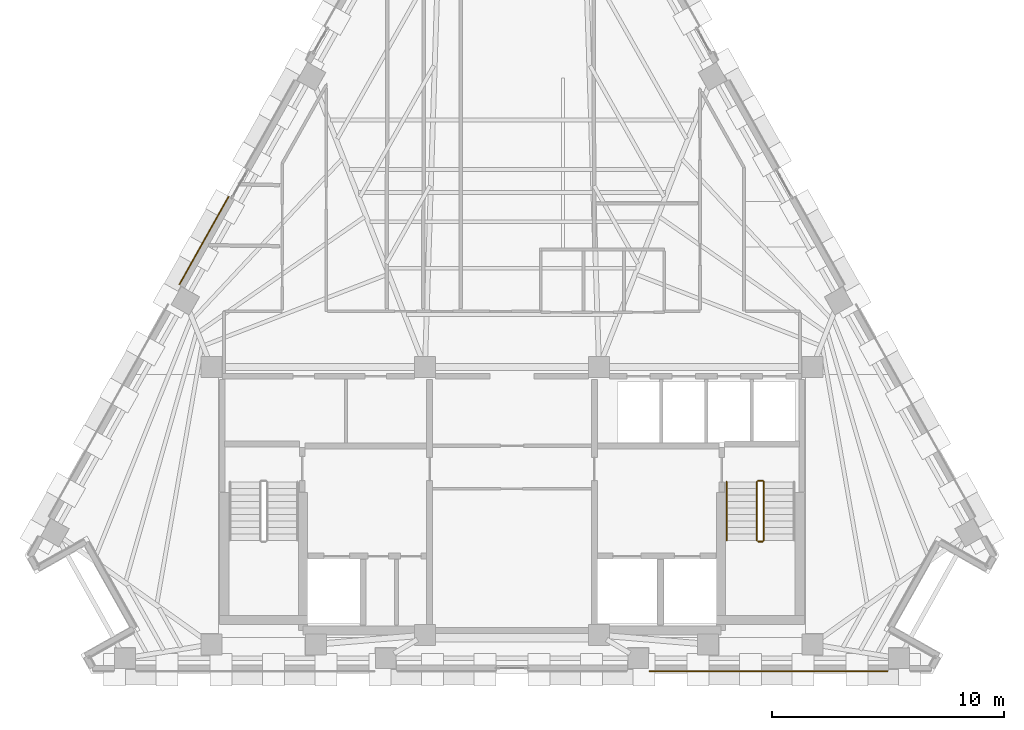
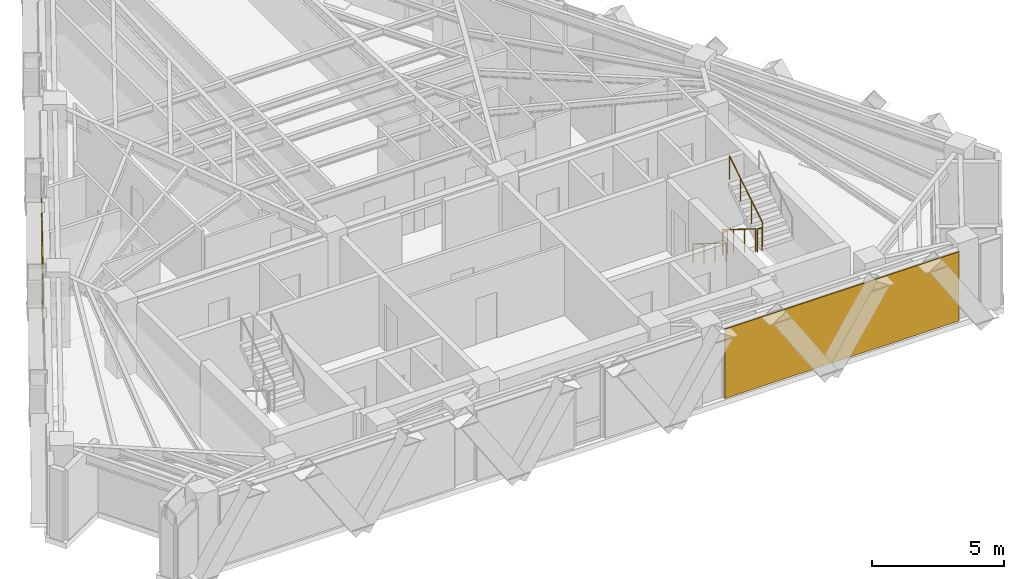
# One storey, part 11 of 12: 5 railings, 2 coverings.
"""IFC4 building model written with IfcOpenShell, lengths in metres."""

from ifc_helpers import new_model, si_unit, direction, frame, origin, origin_2d, place, context, subcontext, project, spatial, polyline, circle, outline, extrude, material, layer, layer_set, type_object, element, save


model = new_model("IFC4")

# Units and contexts
model_context = context("Model", 3, precision=1e-05, world=origin(), true_north=direction((0.0, 1.0)))
body_context = subcontext(model_context, "Body", "Model", "MODEL_VIEW")
ifc_project = project(units=[si_unit("LENGTHUNIT", "METRE"), si_unit("AREAUNIT", "SQUARE_METRE"), si_unit("VOLUMEUNIT", "CUBIC_METRE"), si_unit("PLANEANGLEUNIT", "RADIAN"), si_unit("MASSUNIT", "GRAM", prefix="KILO")], contexts=[model_context])

# Site, building, storey
site_placement = place(None, origin())
site = spatial("IfcSite", under=ifc_project, at=site_placement, CompositionType="ELEMENT")
building_placement = place(site_placement, origin())
building = spatial("IfcBuilding", under=site, at=building_placement, Name="Quenlor Broadcast Tower", CompositionType="ELEMENT")
storey_placement = place(building_placement, frame((0.0, 0.0, 190.39990234375)))
storey = spatial("IfcBuildingStorey", under=building, at=storey_placement, Name="L52", CompositionType="ELEMENT", Elevation=190.39990234375)

# Coverings
ifc_material_1 = material(Name="Architectural Terracotta Ceramic", Category="masonry")
ifc_layer = layer(ifc_material_1, 0.044921875)
ifc_layer_set = layer_set([ifc_layer], Name="Fluted Terracotta Rainscreen Cladding Panel")
covering_type = type_object("IfcCoveringType", Name="Fluted Terracotta Rainscreen Cladding Panel", PredefinedType="CLADDING", material=ifc_layer_set)
covering_1_placement = place(storey_placement, frame((0.0, 0.0, 0.02001953125)))
element("IfcCovering", 1, at=covering_1_placement, inside=storey, type_object=covering_type, Name="L52 Terracotta Rainscreen Cladding L52-EW-SA", PredefinedType="CLADDING", context=body_context, shape_type="SweptSolid", body=[
    extrude(outline(polyline([(16.19091796875, -17.89697265625), (5.9228515625, -17.89697265625), (5.9228515625, -17.94189453125), (16.19091796875, -17.94189453125), (16.19091796875, -17.89697265625)])), origin(), (0.0, 0.0, 1.0), 3.2099609375),
])
covering_2_placement = place(storey_placement, frame((0.0, 0.0, 0.02001953125)))
element("IfcCovering", 2, at=covering_2_placement, inside=storey, type_object=covering_type, Name="L52 Terracotta Rainscreen Cladding L52-NW-SP1", PredefinedType="CLADDING", context=body_context, shape_type="SweptSolid", body=[
    extrude(outline(polyline([(-14.30908203125, -1.248291015625), (-12.187255859375, 2.523681640625), (-12.2265625, 2.5458984375), (-14.34814453125, -1.226318359375), (-14.30908203125, -1.248291015625)])), origin(), (0.0, 0.0, 1.0), 3.2099609375),
])

# Railings
ifc_material_2 = material(Name="Anodised Aluminium", Category="aluminium")
railing_type_1 = type_object("IfcRailingType", Name="Stainless Aluminium Wall Handrail 900", PredefinedType="HANDRAIL", material=ifc_material_2)
railing_1_placement = place(storey_placement, frame((9.25, -9.75, 0.175048828125)))
element("IfcRailing", 3, at=railing_1_placement, inside=storey, type_object=railing_type_1, Name="L52 ST-2 stair handrail 1", PredefinedType="HANDRAIL", context=body_context, shape_type="SweptSolid", body=[
    extrude(circle(Radius=0.02392578125, at=origin_2d()), frame((0.0, 0.0, 0.8759765625), z_axis=(0.0, -0.848007534815, 0.529984170421), x_axis=(1.0, 0.0, 0.0)), (0.0, 0.0, 1.0), 2.9716796875),
    extrude(circle(Radius=0.02099609375, at=origin_2d()), origin(), (0.0, 0.0, 1.0), 0.851806640625),
    extrude(circle(Radius=0.02099609375, at=origin_2d()), frame((0.0, -0.840087890625, 0.52490234375)), (0.0, 0.0, 1.0), 0.851806640625),
    extrude(circle(Radius=0.02099609375, at=origin_2d()), frame((0.0, -1.679931640625, 1.050048828125)), (0.0, 0.0, 1.0), 0.851806640625),
    extrude(circle(Radius=0.02099609375, at=origin_2d()), frame((0.0, -2.52001953125, 1.574951171875)), (0.0, 0.0, 1.0), 0.851806640625),
])
ifc_material_3 = material(Name="Steel S355", Category="steel")
railing_type_2 = type_object("IfcRailingType", Name="Tubular Steel S355 Stair Guardrail 1100", PredefinedType="BALUSTRADE", material=ifc_material_3)
railing_2_placement = place(storey_placement, frame((10.550048828125, -9.75, 0.175048828125)))
element("IfcRailing", 4, at=railing_2_placement, inside=storey, type_object=railing_type_2, Name="L52 ST-2 stair guard 1", PredefinedType="BALUSTRADE", context=body_context, shape_type="SweptSolid", body=[
    extrude(circle(Radius=0.02392578125, at=origin_2d()), frame((0.0, 0.0, 1.076171875), z_axis=(0.0, -0.848007534815, 0.529984170421), x_axis=(1.0, 0.0, 0.0)), (0.0, 0.0, 1.0), 2.9716796875),
    extrude(circle(Radius=0.02099609375, at=origin_2d()), origin(), (0.0, 0.0, 1.0), 1.052001953125),
    extrude(circle(Radius=0.02099609375, at=origin_2d()), frame((0.0, -0.840087890625, 0.52490234375)), (0.0, 0.0, 1.0), 1.052001953125),
    extrude(circle(Radius=0.02099609375, at=origin_2d()), frame((0.0, -1.679931640625, 1.050048828125)), (0.0, 0.0, 1.0), 1.052001953125),
    extrude(circle(Radius=0.02099609375, at=origin_2d()), frame((0.0, -2.52001953125, 1.574951171875)), (0.0, 0.0, 1.0), 1.052001953125),
])
railing_3_placement = place(storey_placement, frame((10.60009765625, -12.320068359375, 1.75)))
element("IfcRailing", 5, at=railing_3_placement, inside=storey, type_object=railing_type_2, Name="L52 ST-2 stair guard 2", PredefinedType="BALUSTRADE", context=body_context, shape_type="SweptSolid", body=[
    extrude(circle(Radius=0.02392578125, at=origin_2d()), frame((0.0, 0.0, 1.076171875), z_axis=(1.0, 0.0, 0.0), x_axis=(0.0, 1.0, 0.0)), (0.0, 0.0, 1.0), 0.199951171875),
    extrude(circle(Radius=0.02099609375, at=origin_2d()), origin(), (0.0, 0.0, 1.0), 1.052001953125),
    extrude(circle(Radius=0.02099609375, at=origin_2d()), frame((0.199951171875, 0.0, 0.0)), (0.0, 0.0, 1.0), 1.052001953125),
])
railing_4_placement = place(storey_placement, frame((10.85009765625, -12.27001953125, 1.925048828125)))
element("IfcRailing", 6, at=railing_4_placement, inside=storey, type_object=railing_type_2, Name="L52 ST-2 stair guard 3", PredefinedType="BALUSTRADE", context=body_context, shape_type="SweptSolid", body=[
    extrude(circle(Radius=0.02392578125, at=origin_2d()), frame((0.0, 0.0, 1.076171875), z_axis=(0.0, 0.848007534815, 0.529984170421), x_axis=(-1.0, 0.0, 0.0)), (0.0, 0.0, 1.0), 2.9716796875),
    extrude(circle(Radius=0.02099609375, at=origin_2d()), origin(), (0.0, 0.0, 1.0), 1.052001953125),
    extrude(circle(Radius=0.02099609375, at=origin_2d()), frame((0.0, 0.840087890625, 0.52490234375)), (0.0, 0.0, 1.0), 1.052001953125),
    extrude(circle(Radius=0.02099609375, at=origin_2d()), frame((0.0, 1.679931640625, 1.050048828125)), (0.0, 0.0, 1.0), 1.052001953125),
    extrude(circle(Radius=0.02099609375, at=origin_2d()), frame((0.0, 2.52001953125, 1.574951171875)), (0.0, 0.0, 1.0), 1.052001953125),
])
railing_5_placement = place(storey_placement, frame((10.60009765625, -9.699951171875, 0.0)))
element("IfcRailing", 7, at=railing_5_placement, inside=storey, type_object=railing_type_2, Name="L52 ST-2 stair guard 4", PredefinedType="BALUSTRADE", context=body_context, shape_type="SweptSolid", body=[
    extrude(circle(Radius=0.02392578125, at=origin_2d()), frame((0.0, 0.0, 1.076171875), z_axis=(1.0, 0.0, 0.0), x_axis=(0.0, 1.0, 0.0)), (0.0, 0.0, 1.0), 0.199951171875),
    extrude(circle(Radius=0.02099609375, at=origin_2d()), origin(), (0.0, 0.0, 1.0), 1.052001953125),
    extrude(circle(Radius=0.02099609375, at=origin_2d()), frame((0.199951171875, 0.0, 0.0)), (0.0, 0.0, 1.0), 1.052001953125),
])

save(model, "model.ifc")
